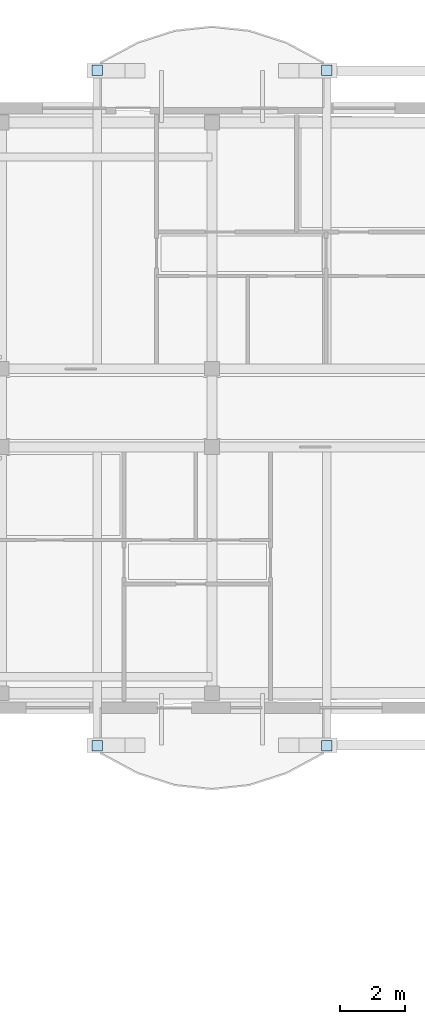
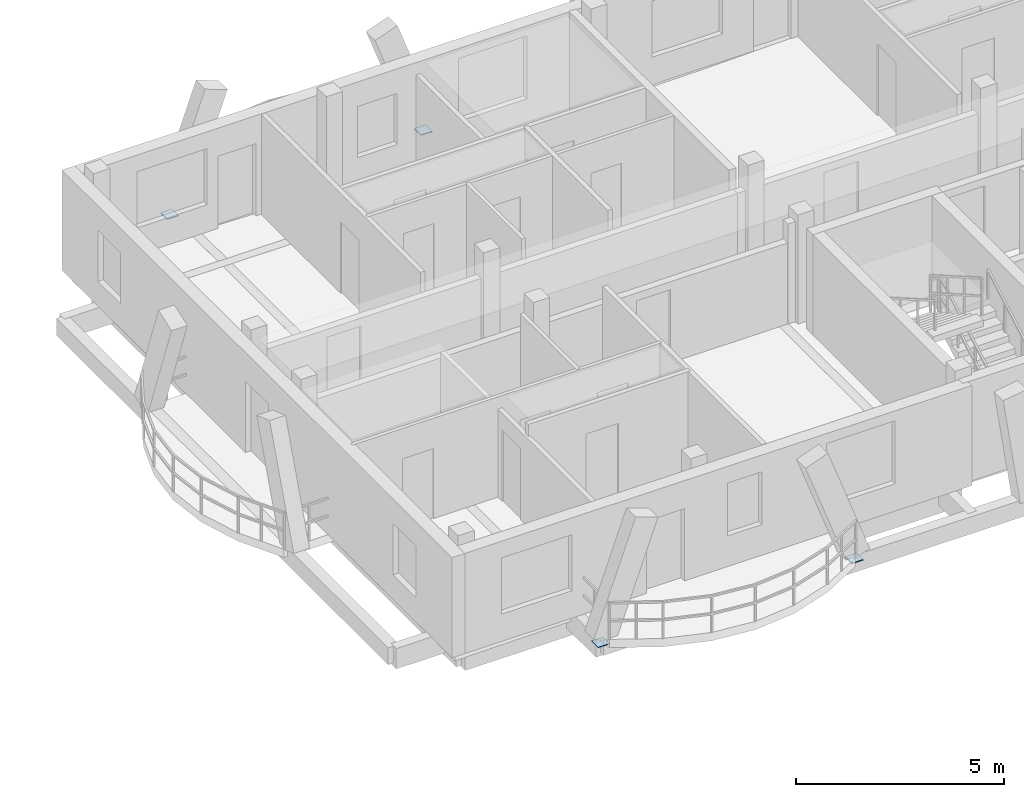
# One storey, part 14 of 52: 4 plates.
"""IFC4 building model written with IfcOpenShell, lengths in metres."""

from ifc_helpers import new_model, si_unit, direction, frame, origin, origin_2d, place, context, subcontext, project, spatial, rectangle, extrude, material, layer, layer_set, type_object, element, save


model = new_model("IFC4")

# Units and contexts
model_context = context("Model", 3, precision=1e-05, world=origin(), true_north=direction((0.0, 1.0)))
body_context = subcontext(model_context, "Body", "Model", "MODEL_VIEW")
ifc_project = project(units=[si_unit("LENGTHUNIT", "METRE"), si_unit("AREAUNIT", "SQUARE_METRE"), si_unit("VOLUMEUNIT", "CUBIC_METRE"), si_unit("PLANEANGLEUNIT", "RADIAN"), si_unit("MASSUNIT", "GRAM", prefix="KILO")], contexts=[model_context])

# Site, building, storey
site_placement = place(None, origin())
site = spatial("IfcSite", under=ifc_project, at=site_placement, CompositionType="ELEMENT")
building_placement = place(site_placement, origin())
building = spatial("IfcBuilding", under=site, at=building_placement, Name="Zavelmont Quarter", CompositionType="ELEMENT")
storey_placement = place(building_placement, frame((0.0, 0.0, 14.39990234375)))
storey = spatial("IfcBuildingStorey", under=building, at=storey_placement, Name="L04", CompositionType="ELEMENT", Elevation=14.39990234375)

# Plates
ifc_material = material(Name="Steel S355", Category="steel")
ifc_layer = layer(ifc_material, 0.02197265625)
ifc_layer_set = layer_set([ifc_layer], Name="Steel S355")
plate_type = type_object("IfcPlateType", Name="NP06", PredefinedType="SHEET", material=ifc_layer_set)
for number, where, z_axis, x_axis, name in (
    (1, (116.179443359375, 117.162109375, -0.2109375), (0.0, 0.0, 1.0), (1.0, 0.0, 0.0), "L04 steel connection plate NP06 at 17/S"),
    (2, (123.220703125, 117.162109375, -0.2109375), (0.0, 0.0, 1.0), (1.0, 0.0, 0.0), "L04 steel connection plate NP06 at 19/S"),
    (3, (116.179443359375, 96.43798828125, -0.2109375), (0.0, 0.0, 1.0), (1.0, 0.0, 0.0), "L04 steel connection plate NP06 at 17/P"),
    (4, (123.220703125, 96.43798828125, -0.2109375), (0.0, 0.0, 1.0), (1.0, 0.0, 0.0), "L04 steel connection plate NP06 at 19/P"),
):
    element("IfcPlate", number, at=place(storey_placement, frame(where, z_axis=z_axis, x_axis=x_axis)), inside=storey, type_object=plate_type, Name=name, PredefinedType="SHEET", context=body_context, shape_type="SweptSolid", body=[
        extrude(rectangle(XDim=0.320068359375, YDim=0.320068359375, at=origin_2d()), origin(), (0.0, 0.0, 1.0), 0.02197265625),
    ])

save(model, "model.ifc")
